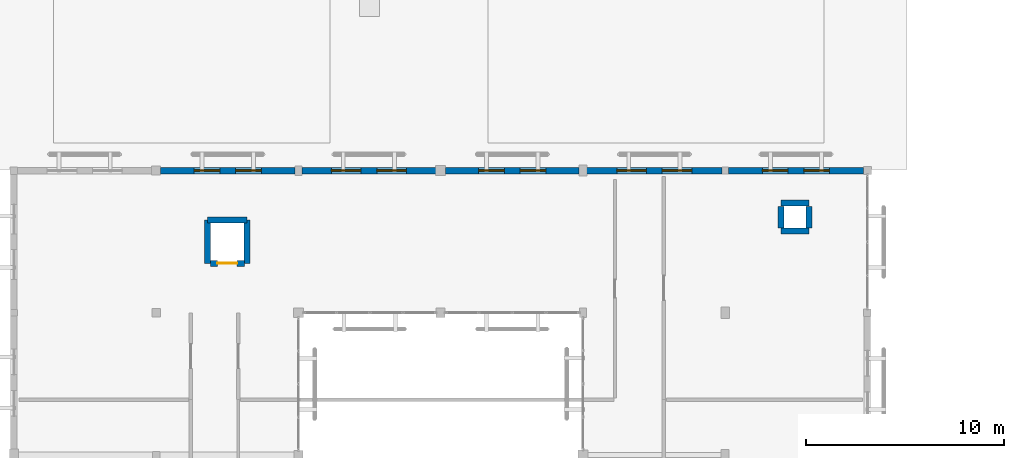
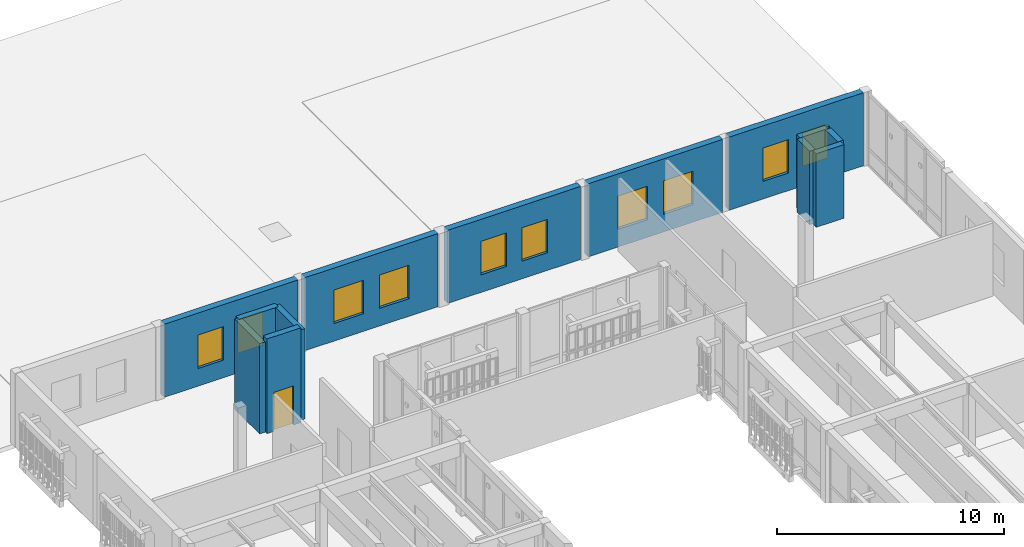
# One storey, part 50 of 61: 13 walls, 10 windows, 1 door, 11 openings.
"""IFC4 building model written with IfcOpenShell, lengths in metres."""

from ifc_helpers import new_model, si_unit, direction, frame, frame_2d, origin, place, context, subcontext, project, spatial, rectangle, extrude, material, layer, layer_set, type_object, element, fill, save


model = new_model("IFC4")

# Units and contexts
model_context = context("Model", 3, precision=1e-05, world=origin(), true_north=direction((0.0, 1.0)))
body_context = subcontext(model_context, "Body", "Model", "MODEL_VIEW")
ifc_project = project(units=[si_unit("LENGTHUNIT", "METRE"), si_unit("AREAUNIT", "SQUARE_METRE"), si_unit("VOLUMEUNIT", "CUBIC_METRE"), si_unit("PLANEANGLEUNIT", "RADIAN"), si_unit("MASSUNIT", "GRAM", prefix="KILO")], contexts=[model_context])

# Site, building, storey
site_placement = place(None, origin())
site = spatial("IfcSite", under=ifc_project, at=site_placement, CompositionType="ELEMENT")
building_placement = place(site_placement, origin())
building = spatial("IfcBuilding", under=site, at=building_placement, Name="Mazaris Harbour Polytechnic", CompositionType="ELEMENT")
storey_placement = place(building_placement, frame((0.0, 0.0, 18.0)))
storey = spatial("IfcBuildingStorey", under=building, at=storey_placement, Name="L04", CompositionType="ELEMENT", Elevation=18.0)

# Wall, openings, windows
ifc_material_1 = material(Name="Algerian Buff Limestone and Mineral Wool", Category="masonry")
ifc_layer_1 = layer(ifc_material_1, 0.330078125, Name="Algerian Buff Limestone and Mineral Wool")
ifc_layer_set_1 = layer_set([ifc_layer_1], Name="Algerian Buff Limestone and Mineral Wool")
wall_type_1 = type_object("IfcWallType", Name="Limestone Cavity Wall 330", PredefinedType="STANDARD", material=ifc_layer_set_1)
wall_1_placement = place(storey_placement, frame((7.422119140625, 75.60009765625, 0.0), z_axis=(0.0, 0.0, 1.0), x_axis=(1.0, 0.0, 0.0)))
wall_1 = element("IfcWall", 1, at=wall_1_placement, inside=storey, type_object=wall_type_1, Name="V4 L04 Exterior Wall 253", PredefinedType="STANDARD", context=body_context, shape_type="SweptSolid", body=[
    extrude(rectangle(XDim=6.805908203125, YDim=0.330078125, at=frame_2d((3.40283203125, 0.0))), origin(), (0.0, 0.0, 1.0), 3.93505859375),
])
opening_1_placement = place(wall_1_placement, frame((1.702880859375, 0.0, 0.949951171875)))
opening_1 = element("IfcOpeningElement", 2, at=opening_1_placement, cuts=wall_1, Name="Opening WN-13", PredefinedType="OPENING", context=body_context, shape_type="SweptSolid", body=[
    extrude(rectangle(XDim=1.300048828125, YDim=1.800048828125, at=frame_2d((0.64990234375, 0.89990234375))), frame((0.0, 0.175048828125, 0.0), z_axis=(0.0, -1.0, 0.0), x_axis=(1.0, 0.0, 0.0)), (0.0, 0.0, 1.0), 0.35009765625),
])
opening_2_placement = place(wall_1_placement, frame((3.802978515625, 0.0, 0.949951171875)))
opening_2 = element("IfcOpeningElement", 3, at=opening_2_placement, cuts=wall_1, Name="Opening WN-13", PredefinedType="OPENING", context=body_context, shape_type="SweptSolid", body=[
    extrude(rectangle(XDim=1.300048828125, YDim=1.800048828125, at=frame_2d((0.64990234375, 0.89990234375))), frame((0.0, 0.175048828125, 0.0), z_axis=(0.0, -1.0, 0.0), x_axis=(1.0, 0.0, 0.0)), (0.0, 0.0, 1.0), 0.35009765625),
])
ifc_material_2 = material(Name="Thermally Broken Bronze Aluminium and Low-E Glass", Category="aluminium")
window_type_1 = type_object("IfcWindowType", Name="Attic Deep-Reveal Window 1300x1800", PartitioningType="DOUBLE_PANEL_VERTICAL", PredefinedType="WINDOW", material=ifc_material_2)
window_1_placement = place(opening_1_placement, origin())
window_1 = element("IfcWindow", 4, at=window_1_placement, inside=storey, type_object=window_type_1, Name="WN-0276", OverallHeight=1.800048828125, OverallWidth=1.300048828125, PartitioningType="DOUBLE_PANEL_VERTICAL", PredefinedType="WINDOW", context=body_context, shape_type="SweptSolid", body=[
    extrude(rectangle(XDim=1.300048828125, YDim=1.800048828125, at=frame_2d((0.64990234375, 0.89990234375))), frame((0.0, 0.030029296875, 0.0), z_axis=(0.0, -1.0, 0.0), x_axis=(1.0, 0.0, 0.0)), (0.0, 0.0, 1.0), 0.06005859375),
])
fill(opening_1, window_1)
window_2_placement = place(opening_2_placement, origin())
window_2 = element("IfcWindow", 5, at=window_2_placement, inside=storey, type_object=window_type_1, Name="WN-0277", OverallHeight=1.800048828125, OverallWidth=1.300048828125, PartitioningType="DOUBLE_PANEL_VERTICAL", PredefinedType="WINDOW", context=body_context, shape_type="SweptSolid", body=[
    extrude(rectangle(XDim=1.300048828125, YDim=1.800048828125, at=frame_2d((0.64990234375, 0.89990234375))), frame((0.0, 0.030029296875, 0.0), z_axis=(0.0, -1.0, 0.0), x_axis=(1.0, 0.0, 0.0)), (0.0, 0.0, 1.0), 0.06005859375),
])
fill(opening_2, window_2)

wall_2_placement = place(storey_placement, frame((14.572021484375, 75.60009765625, 0.0), z_axis=(0.0, 0.0, 1.0), x_axis=(1.0, 0.0, 0.0)))
wall_2 = element("IfcWall", 6, at=wall_2_placement, inside=storey, type_object=wall_type_1, Name="V4 L04 Exterior Wall 254", PredefinedType="STANDARD", context=body_context, shape_type="SweptSolid", body=[
    extrude(rectangle(XDim=6.785888671875, YDim=0.330078125, at=frame_2d((3.39306640625, 0.0))), origin(), (0.0, 0.0, 1.0), 3.93505859375),
])
opening_3_placement = place(wall_2_placement, frame((1.492919921875, 0.0, 0.949951171875)))
opening_3 = element("IfcOpeningElement", 7, at=opening_3_placement, cuts=wall_2, Name="Opening WN-14", PredefinedType="OPENING", context=body_context, shape_type="SweptSolid", body=[
    extrude(rectangle(XDim=1.5, YDim=1.800048828125, at=frame_2d((0.75, 0.89990234375))), frame((0.0, 0.175048828125, 0.0), z_axis=(0.0, -1.0, 0.0), x_axis=(1.0, 0.0, 0.0)), (0.0, 0.0, 1.0), 0.35009765625),
])
opening_4_placement = place(wall_2_placement, frame((3.79296875, 0.0, 0.949951171875)))
opening_4 = element("IfcOpeningElement", 8, at=opening_4_placement, cuts=wall_2, Name="Opening WN-14", PredefinedType="OPENING", context=body_context, shape_type="SweptSolid", body=[
    extrude(rectangle(XDim=1.5, YDim=1.800048828125, at=frame_2d((0.75, 0.89990234375))), frame((0.0, 0.175048828125, 0.0), z_axis=(0.0, -1.0, 0.0), x_axis=(1.0, 0.0, 0.0)), (0.0, 0.0, 1.0), 0.35009765625),
])
ifc_material_3 = material(Name="Thermally Broken Bronze Aluminium and Low-E Glass", Category="aluminium")
window_type_2 = type_object("IfcWindowType", Name="Attic Deep-Reveal Window 1500x1800", PartitioningType="DOUBLE_PANEL_VERTICAL", PredefinedType="WINDOW", material=ifc_material_3)
window_3_placement = place(opening_3_placement, origin())
window_3 = element("IfcWindow", 9, at=window_3_placement, inside=storey, type_object=window_type_2, Name="WN-0278", OverallHeight=1.800048828125, OverallWidth=1.5, PartitioningType="DOUBLE_PANEL_VERTICAL", PredefinedType="WINDOW", context=body_context, shape_type="SweptSolid", body=[
    extrude(rectangle(XDim=1.5, YDim=1.800048828125, at=frame_2d((0.75, 0.89990234375))), frame((0.0, 0.030029296875, 0.0), z_axis=(0.0, -1.0, 0.0), x_axis=(1.0, 0.0, 0.0)), (0.0, 0.0, 1.0), 0.06005859375),
])
fill(opening_3, window_3)
window_4_placement = place(opening_4_placement, origin())
window_4 = element("IfcWindow", 10, at=window_4_placement, inside=storey, type_object=window_type_2, Name="WN-0279", OverallHeight=1.800048828125, OverallWidth=1.5, PartitioningType="DOUBLE_PANEL_VERTICAL", PredefinedType="WINDOW", context=body_context, shape_type="SweptSolid", body=[
    extrude(rectangle(XDim=1.5, YDim=1.800048828125, at=frame_2d((0.75, 0.89990234375))), frame((0.0, 0.030029296875, 0.0), z_axis=(0.0, -1.0, 0.0), x_axis=(1.0, 0.0, 0.0)), (0.0, 0.0, 1.0), 0.06005859375),
])
fill(opening_4, window_4)

wall_3_placement = place(storey_placement, frame((21.842041015625, 75.60009765625, 0.0), z_axis=(0.0, 0.0, 1.0), x_axis=(1.0, 0.0, 0.0)))
wall_3 = element("IfcWall", 11, at=wall_3_placement, inside=storey, type_object=wall_type_1, Name="V4 L04 Exterior Wall 255", PredefinedType="STANDARD", context=body_context, shape_type="SweptSolid", body=[
    extrude(rectangle(XDim=6.765869140625, YDim=0.330078125, at=frame_2d((3.3828125, 0.0))), origin(), (0.0, 0.0, 1.0), 3.93505859375),
])
opening_5_placement = place(wall_3_placement, frame((1.68310546875, 0.0, 0.949951171875)))
opening_5 = element("IfcOpeningElement", 12, at=opening_5_placement, cuts=wall_3, Name="Opening WN-13", PredefinedType="OPENING", context=body_context, shape_type="SweptSolid", body=[
    extrude(rectangle(XDim=1.300048828125, YDim=1.800048828125, at=frame_2d((0.64990234375, 0.89990234375))), frame((0.0, 0.175048828125, 0.0), z_axis=(0.0, -1.0, 0.0), x_axis=(1.0, 0.0, 0.0)), (0.0, 0.0, 1.0), 0.35009765625),
])
opening_6_placement = place(wall_3_placement, frame((3.782958984375, 0.0, 0.949951171875)))
opening_6 = element("IfcOpeningElement", 13, at=opening_6_placement, cuts=wall_3, Name="Opening WN-13", PredefinedType="OPENING", context=body_context, shape_type="SweptSolid", body=[
    extrude(rectangle(XDim=1.300048828125, YDim=1.800048828125, at=frame_2d((0.64990234375, 0.89990234375))), frame((0.0, 0.175048828125, 0.0), z_axis=(0.0, -1.0, 0.0), x_axis=(1.0, 0.0, 0.0)), (0.0, 0.0, 1.0), 0.35009765625),
])
window_5_placement = place(opening_5_placement, origin())
window_5 = element("IfcWindow", 14, at=window_5_placement, inside=storey, type_object=window_type_1, Name="WN-0280", OverallHeight=1.800048828125, OverallWidth=1.300048828125, PartitioningType="DOUBLE_PANEL_VERTICAL", PredefinedType="WINDOW", context=body_context, shape_type="SweptSolid", body=[
    extrude(rectangle(XDim=1.300048828125, YDim=1.800048828125, at=frame_2d((0.64990234375, 0.89990234375))), frame((0.0, 0.030029296875, 0.0), z_axis=(0.0, -1.0, 0.0), x_axis=(1.0, 0.0, 0.0)), (0.0, 0.0, 1.0), 0.06005859375),
])
fill(opening_5, window_5)
window_6_placement = place(opening_6_placement, origin())
window_6 = element("IfcWindow", 15, at=window_6_placement, inside=storey, type_object=window_type_1, Name="WN-0281", OverallHeight=1.800048828125, OverallWidth=1.300048828125, PartitioningType="DOUBLE_PANEL_VERTICAL", PredefinedType="WINDOW", context=body_context, shape_type="SweptSolid", body=[
    extrude(rectangle(XDim=1.300048828125, YDim=1.800048828125, at=frame_2d((0.64990234375, 0.89990234375))), frame((0.0, 0.030029296875, 0.0), z_axis=(0.0, -1.0, 0.0), x_axis=(1.0, 0.0, 0.0)), (0.0, 0.0, 1.0), 0.06005859375),
])
fill(opening_6, window_6)

wall_4_placement = place(storey_placement, frame((28.991943359375, 75.60009765625, 0.0), z_axis=(0.0, 0.0, 1.0), x_axis=(1.0, 0.0, 0.0)))
wall_4 = element("IfcWall", 16, at=wall_4_placement, inside=storey, type_object=wall_type_1, Name="V4 L04 Exterior Wall 256", PredefinedType="STANDARD", context=body_context, shape_type="SweptSolid", body=[
    extrude(rectangle(XDim=6.845947265625, YDim=0.330078125, at=frame_2d((3.4228515625, 0.0))), origin(), (0.0, 0.0, 1.0), 3.93505859375),
])
opening_7_placement = place(wall_4_placement, frame((1.52294921875, 0.0, 0.949951171875)))
opening_7 = element("IfcOpeningElement", 17, at=opening_7_placement, cuts=wall_4, Name="Opening WN-14", PredefinedType="OPENING", context=body_context, shape_type="SweptSolid", body=[
    extrude(rectangle(XDim=1.5, YDim=1.800048828125, at=frame_2d((0.75, 0.89990234375))), frame((0.0, 0.175048828125, 0.0), z_axis=(0.0, -1.0, 0.0), x_axis=(1.0, 0.0, 0.0)), (0.0, 0.0, 1.0), 0.35009765625),
])
opening_8_placement = place(wall_4_placement, frame((3.822998046875, 0.0, 0.949951171875)))
opening_8 = element("IfcOpeningElement", 18, at=opening_8_placement, cuts=wall_4, Name="Opening WN-14", PredefinedType="OPENING", context=body_context, shape_type="SweptSolid", body=[
    extrude(rectangle(XDim=1.5, YDim=1.800048828125, at=frame_2d((0.75, 0.89990234375))), frame((0.0, 0.175048828125, 0.0), z_axis=(0.0, -1.0, 0.0), x_axis=(1.0, 0.0, 0.0)), (0.0, 0.0, 1.0), 0.35009765625),
])
window_7_placement = place(opening_7_placement, origin())
window_7 = element("IfcWindow", 19, at=window_7_placement, inside=storey, type_object=window_type_2, Name="WN-0282", OverallHeight=1.800048828125, OverallWidth=1.5, PartitioningType="DOUBLE_PANEL_VERTICAL", PredefinedType="WINDOW", context=body_context, shape_type="SweptSolid", body=[
    extrude(rectangle(XDim=1.5, YDim=1.800048828125, at=frame_2d((0.75, 0.89990234375))), frame((0.0, 0.030029296875, 0.0), z_axis=(0.0, -1.0, 0.0), x_axis=(1.0, 0.0, 0.0)), (0.0, 0.0, 1.0), 0.06005859375),
])
fill(opening_7, window_7)
window_8_placement = place(opening_8_placement, origin())
window_8 = element("IfcWindow", 20, at=window_8_placement, inside=storey, type_object=window_type_2, Name="WN-0283", OverallHeight=1.800048828125, OverallWidth=1.5, PartitioningType="DOUBLE_PANEL_VERTICAL", PredefinedType="WINDOW", context=body_context, shape_type="SweptSolid", body=[
    extrude(rectangle(XDim=1.5, YDim=1.800048828125, at=frame_2d((0.75, 0.89990234375))), frame((0.0, 0.030029296875, 0.0), z_axis=(0.0, -1.0, 0.0), x_axis=(1.0, 0.0, 0.0)), (0.0, 0.0, 1.0), 0.06005859375),
])
fill(opening_8, window_8)

wall_5_placement = place(storey_placement, frame((36.162109375, 75.60009765625, 0.0), z_axis=(0.0, 0.0, 1.0), x_axis=(1.0, 0.0, 0.0)))
wall_5 = element("IfcWall", 21, at=wall_5_placement, inside=storey, type_object=wall_type_1, Name="V4 L04 Exterior Wall 257", PredefinedType="STANDARD", context=body_context, shape_type="SweptSolid", body=[
    extrude(rectangle(XDim=6.8359375, YDim=0.330078125, at=frame_2d((3.41796875, 0.0))), origin(), (0.0, 0.0, 1.0), 3.93505859375),
])
opening_9_placement = place(wall_5_placement, frame((1.718017578125, 0.0, 0.949951171875)))
opening_9 = element("IfcOpeningElement", 22, at=opening_9_placement, cuts=wall_5, Name="Opening WN-13", PredefinedType="OPENING", context=body_context, shape_type="SweptSolid", body=[
    extrude(rectangle(XDim=1.300048828125, YDim=1.800048828125, at=frame_2d((0.64990234375, 0.89990234375))), frame((0.0, 0.175048828125, 0.0), z_axis=(0.0, -1.0, 0.0), x_axis=(1.0, 0.0, 0.0)), (0.0, 0.0, 1.0), 0.35009765625),
])
opening_10_placement = place(wall_5_placement, frame((3.818115234375, 0.0, 0.949951171875)))
opening_10 = element("IfcOpeningElement", 23, at=opening_10_placement, cuts=wall_5, Name="Opening WN-13", PredefinedType="OPENING", context=body_context, shape_type="SweptSolid", body=[
    extrude(rectangle(XDim=1.300048828125, YDim=1.800048828125, at=frame_2d((0.64990234375, 0.89990234375))), frame((0.0, 0.175048828125, 0.0), z_axis=(0.0, -1.0, 0.0), x_axis=(1.0, 0.0, 0.0)), (0.0, 0.0, 1.0), 0.35009765625),
])
window_9_placement = place(opening_9_placement, origin())
window_9 = element("IfcWindow", 24, at=window_9_placement, inside=storey, type_object=window_type_1, Name="WN-0284", OverallHeight=1.800048828125, OverallWidth=1.300048828125, PartitioningType="DOUBLE_PANEL_VERTICAL", PredefinedType="WINDOW", context=body_context, shape_type="SweptSolid", body=[
    extrude(rectangle(XDim=1.300048828125, YDim=1.800048828125, at=frame_2d((0.64990234375, 0.89990234375))), frame((0.0, 0.030029296875, 0.0), z_axis=(0.0, -1.0, 0.0), x_axis=(1.0, 0.0, 0.0)), (0.0, 0.0, 1.0), 0.06005859375),
])
fill(opening_9, window_9)
window_10_placement = place(opening_10_placement, origin())
window_10 = element("IfcWindow", 25, at=window_10_placement, inside=storey, type_object=window_type_1, Name="WN-0285", OverallHeight=1.800048828125, OverallWidth=1.300048828125, PartitioningType="DOUBLE_PANEL_VERTICAL", PredefinedType="WINDOW", context=body_context, shape_type="SweptSolid", body=[
    extrude(rectangle(XDim=1.300048828125, YDim=1.800048828125, at=frame_2d((0.64990234375, 0.89990234375))), frame((0.0, 0.030029296875, 0.0), z_axis=(0.0, -1.0, 0.0), x_axis=(1.0, 0.0, 0.0)), (0.0, 0.0, 1.0), 0.06005859375),
])
fill(opening_10, window_10)

# Walls
ifc_material_4 = material(Name="Concrete C40/50", Category="concrete")
ifc_layer_2 = layer(ifc_material_4, 0.300048828125, Name="Concrete C40/50")
ifc_layer_set_2 = layer_set([ifc_layer_2], Name="Concrete C40/50")
wall_type_2 = type_object("IfcWallType", Name="RC Lift Shaft Wall 300", PredefinedType="SHEAR", material=ifc_layer_set_2)
wall_6_placement = place(storey_placement, frame((38.830078125, 72.530029296875, 0.0), z_axis=(0.0, 0.0, 1.0), x_axis=(1.0, 0.0, 0.0)))
element("IfcWall", 26, at=wall_6_placement, inside=storey, type_object=wall_type_2, Name="V4 L04 Riser Enclosure Wall 2-1", PredefinedType="SHEAR", context=body_context, shape_type="SweptSolid", body=[
    extrude(rectangle(XDim=1.419921875, YDim=0.300048828125, at=frame_2d((0.7099609375, 0.0))), origin(), (0.0, 0.0, 1.0), 3.9599609375),
])
wall_7_placement = place(storey_placement, frame((40.25, 72.68994140625, 0.0), z_axis=(0.0, 0.0, 1.0), x_axis=(0.0, 1.0, 0.0)))
element("IfcWall", 27, at=wall_7_placement, inside=storey, type_object=wall_type_2, Name="V4 L04 Riser Enclosure Wall 2-2", PredefinedType="SHEAR", context=body_context, shape_type="SweptSolid", body=[
    extrude(rectangle(XDim=1.10009765625, YDim=0.300048828125, at=frame_2d((0.550048828125, 0.0))), origin(), (0.0, 0.0, 1.0), 3.9599609375),
])
wall_8_placement = place(storey_placement, frame((40.25, 73.949951171875, 0.0), z_axis=(0.0, 0.0, 1.0), x_axis=(-1.0, 0.0, 0.0)))
element("IfcWall", 28, at=wall_8_placement, inside=storey, type_object=wall_type_2, Name="V4 L04 Riser Enclosure Wall 2-3", PredefinedType="SHEAR", context=body_context, shape_type="SweptSolid", body=[
    extrude(rectangle(XDim=1.419921875, YDim=0.300048828125, at=frame_2d((0.7099609375, 0.0))), origin(), (0.0, 0.0, 1.0), 3.9599609375),
])
wall_9_placement = place(storey_placement, frame((38.830078125, 73.7900390625, 0.0), z_axis=(0.0, 0.0, 1.0), x_axis=(0.0, -1.0, 0.0)))
element("IfcWall", 29, at=wall_9_placement, inside=storey, type_object=wall_type_2, Name="V4 L04 Riser Enclosure Wall 2-4", PredefinedType="SHEAR", context=body_context, shape_type="SweptSolid", body=[
    extrude(rectangle(XDim=1.10009765625, YDim=0.300048828125, at=frame_2d((0.550048828125, 0.0))), origin(), (0.0, 0.0, 1.0), 3.9599609375),
])
wall_10_placement = place(storey_placement, frame((11.800048828125, 73.10009765625, 0.0), z_axis=(0.0, 0.0, 1.0), x_axis=(-1.0, 0.0, 0.0)))
element("IfcWall", 30, at=wall_10_placement, inside=storey, type_object=wall_type_2, Name="Lift LP-01 L04 North Shaft Wall", PredefinedType="SHEAR", context=body_context, shape_type="SweptSolid", body=[
    extrude(rectangle(XDim=2.0, YDim=0.300048828125, at=frame_2d((1.0, 0.0))), origin(), (0.0, 0.0, 1.0), 4.860107421875),
])
for number, where, z_axis, x_axis, name in (
    (31, (9.800048828125, 73.10009765625, 0.0), (0.0, 0.0, 1.0), (0.0, -1.0, 0.0), "Lift LP-01 L04 West Shaft Wall"),
    (32, (11.800048828125, 70.89990234375, 0.0), (0.0, 0.0, 1.0), (0.0, 1.0, 0.0), "Lift LP-01 L04 East Shaft Wall"),
):
    element("IfcWall", number, at=place(storey_placement, frame(where, z_axis=z_axis, x_axis=x_axis)), inside=storey, type_object=wall_type_2, Name=name, PredefinedType="SHEAR", context=body_context, shape_type="SweptSolid", body=[
        extrude(rectangle(XDim=2.2001953125, YDim=0.300048828125, at=frame_2d((1.10009765625, 0.0))), origin(), (0.0, 0.0, 1.0), 4.860107421875),
    ])

# Wall, opening, door
wall_11_placement = place(storey_placement, frame((11.659912109375, 70.89990234375, 0.0), z_axis=(0.0, 0.0, 1.0), x_axis=(-1.0, 0.0, 0.0)))
wall_11 = element("IfcWall", 33, at=wall_11_placement, inside=storey, type_object=wall_type_2, Name="Lift LP-01 L04 Front Shaft Wall", PredefinedType="SHEAR", context=body_context, shape_type="SweptSolid", body=[
    extrude(rectangle(XDim=1.719970703125, YDim=0.300048828125, at=frame_2d((0.85986328125, 0.0))), origin(), (0.0, 0.0, 1.0), 5.10009765625),
])
opening_11_placement = place(wall_11_placement, frame((0.360107421875, 0.0, 0.0)))
opening_11 = element("IfcOpeningElement", 34, at=opening_11_placement, cuts=wall_11, Name="Opening LD-01", PredefinedType="OPENING", context=body_context, shape_type="SweptSolid", body=[
    extrude(rectangle(XDim=1.0, YDim=2.10009765625, at=frame_2d((0.5, 1.050048828125))), frame((0.0, 0.159912109375, 0.0), z_axis=(0.0, -1.0, 0.0), x_axis=(1.0, 0.0, 0.0)), (0.0, 0.0, 1.0), 0.320068359375),
])
ifc_material_5 = material(Name="Stainless Steel S355", Category="steel")
door_type = type_object("IfcDoorType", Name="Sliding Passenger Lift Landing Door 1000x2100", OperationType="SLIDING_TO_LEFT", PredefinedType="DOOR", material=ifc_material_5)
door_placement = place(opening_11_placement, origin())
door = element("IfcDoor", 35, at=door_placement, inside=storey, type_object=door_type, Name="LD-019", OperationType="SLIDING_TO_LEFT", OverallHeight=2.10009765625, OverallWidth=1.0, PredefinedType="DOOR", context=body_context, shape_type="SweptSolid", body=[
    extrude(rectangle(XDim=1.0, YDim=2.10009765625, at=frame_2d((0.5, 1.050048828125))), frame((0.0, 0.02490234375, 0.0), z_axis=(0.0, -1.0, 0.0), x_axis=(1.0, 0.0, 0.0)), (0.0, 0.0, 1.0), 0.050048828125),
])
fill(opening_11, door)

save(model, "model.ifc")
